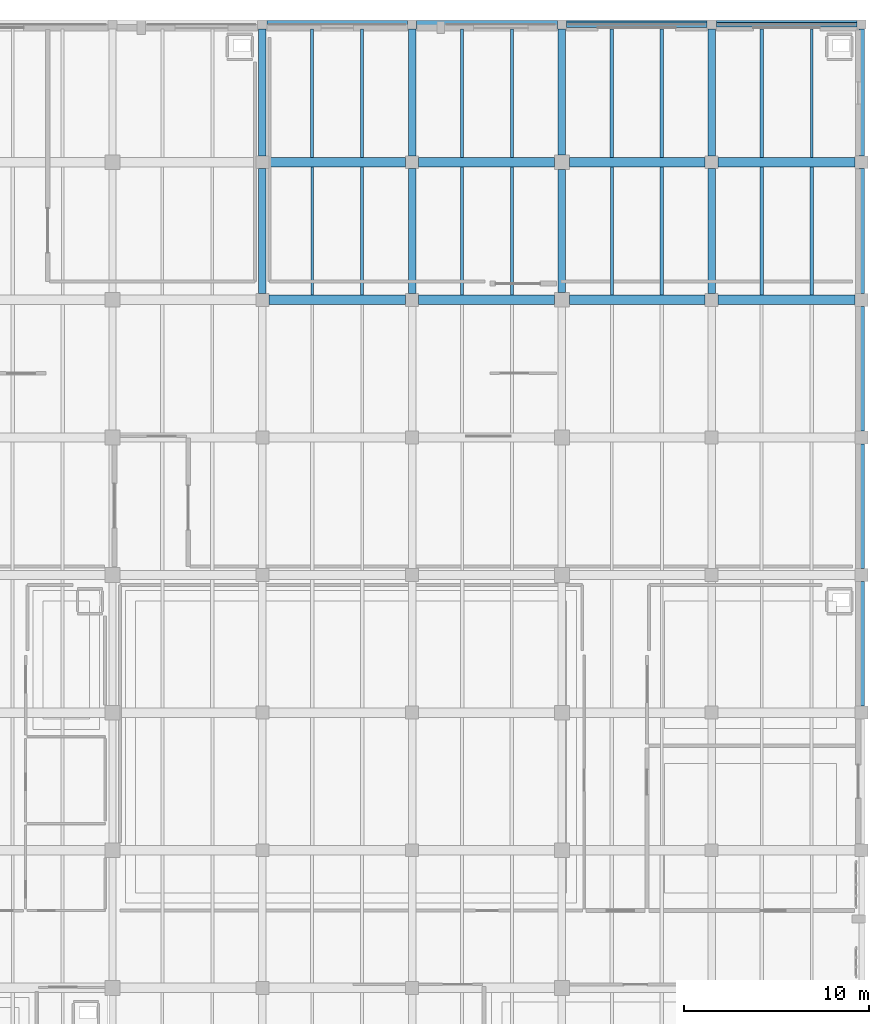
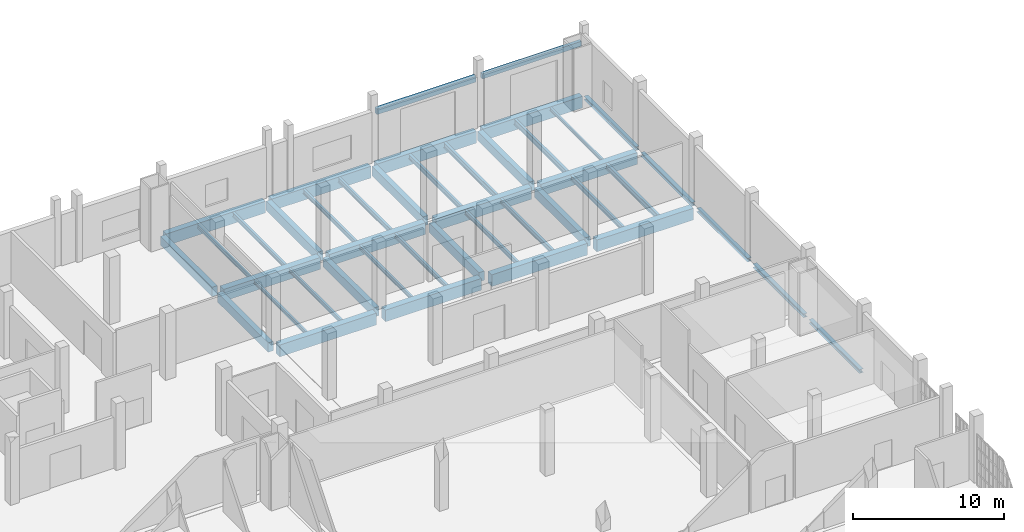
# One storey, part 291 of 372: 43 beams.
"""IFC4 building model written with IfcOpenShell, lengths in metres."""

from ifc_helpers import new_model, si_unit, direction, frame, origin, origin_2d, place, context, subcontext, project, spatial, rectangle, i_section, extrude, material, material_profile, profile_set, type_object, element, save


model = new_model("IFC4")

# Units and contexts
model_context = context("Model", 3, precision=1e-05, world=origin(), true_north=direction((0.0, 1.0)))
body_context = subcontext(model_context, "Body", "Model", "MODEL_VIEW")
ifc_project = project(units=[si_unit("LENGTHUNIT", "METRE"), si_unit("AREAUNIT", "SQUARE_METRE"), si_unit("VOLUMEUNIT", "CUBIC_METRE"), si_unit("PLANEANGLEUNIT", "RADIAN"), si_unit("MASSUNIT", "GRAM", prefix="KILO")], contexts=[model_context])

# Site, building, storey
site_placement = place(None, origin())
site = spatial("IfcSite", under=ifc_project, at=site_placement, CompositionType="ELEMENT")
building_placement = place(site_placement, origin())
building = spatial("IfcBuilding", under=site, at=building_placement, Name="Kaelora Sail Theatre", CompositionType="ELEMENT")
storey_placement = place(building_placement, origin())
storey = spatial("IfcBuildingStorey", under=building, at=storey_placement, Name="L00", CompositionType="ELEMENT", Elevation=0.0)

# Beams
ifc_material_1 = material(Name="Steel S355", Category="steel")
ifc_material_profile_1 = material_profile(ifc_material_1, i_section(OverallWidth=0.18994140625, OverallDepth=0.449951171875, WebThickness=0.009521484375, FlangeThickness=0.0146484375, FilletRadius=0.02099609375, at=origin_2d()), Name="IPE 450")
ifc_profile_set_1 = profile_set([ifc_material_profile_1], Name="Steel S355")
beam_type_1 = type_object("IfcBeamType", Name="STR-BM-BM-IPE450", PredefinedType="BEAM", material=ifc_profile_set_1)
beam_1_placement = place(storey_placement, frame((152.699951171875, 105.909912109375, -0.544921875), z_axis=(0.0, 1.0, 0.0), x_axis=(-1.0, 0.0, 0.0)))
element("IfcBeam", 1, at=beam_1_placement, inside=storey, type_object=beam_type_1, Name="Secondary floor joist 19/O-2 (L00)", PredefinedType="BEAM", context=body_context, shape_type="SweptSolid", body=[
    extrude(i_section(OverallWidth=0.18994140625, OverallDepth=0.449951171875, WebThickness=0.009521484375, FlangeThickness=0.0146484375, FilletRadius=0.02099609375, at=origin_2d()), origin(), (0.0, 0.0, 1.0), 6.965087890625),
])
beam_2_placement = place(storey_placement, frame((160.800048828125, 98.469970703125, -0.544921875), z_axis=(0.0, 1.0, 0.0), x_axis=(-1.0, 0.0, 0.0)))
element("IfcBeam", 2, at=beam_2_placement, inside=storey, type_object=beam_type_1, Name="Secondary floor joist 20/N-2 (L00)", PredefinedType="BEAM", context=body_context, shape_type="SweptSolid", body=[
    extrude(i_section(OverallWidth=0.18994140625, OverallDepth=0.449951171875, WebThickness=0.009521484375, FlangeThickness=0.0146484375, FilletRadius=0.02099609375, at=origin_2d()), origin(), (0.0, 0.0, 1.0), 6.93994140625),
])
beam_3_placement = place(storey_placement, frame((158.10009765625, 105.909912109375, -0.544921875), z_axis=(0.0, 1.0, 0.0), x_axis=(-1.0, 0.0, 0.0)))
element("IfcBeam", 3, at=beam_3_placement, inside=storey, type_object=beam_type_1, Name="Secondary floor joist 20/O-1 (L00)", PredefinedType="BEAM", context=body_context, shape_type="SweptSolid", body=[
    extrude(i_section(OverallWidth=0.18994140625, OverallDepth=0.449951171875, WebThickness=0.009521484375, FlangeThickness=0.0146484375, FilletRadius=0.02099609375, at=origin_2d()), origin(), (0.0, 0.0, 1.0), 6.965087890625),
])
ifc_material_2 = material(Name="Concrete C40/50", Category="concrete")
ifc_material_profile_2 = material_profile(ifc_material_2, rectangle(XDim=0.39990234375, YDim=0.75, at=origin_2d()), Name="RC-BM 400x750")
ifc_profile_set_2 = profile_set([ifc_material_profile_2], Name="Concrete C40/50")
beam_type_2 = type_object("IfcBeamType", Name="STR-BM-BM-RC4075", PredefinedType="BEAM", material=ifc_profile_set_2)
beam_4_placement = place(storey_placement, frame((131.10009765625, 98.570068359375, -0.695068359375), z_axis=(0.0, 1.0, 0.0), x_axis=(-1.0, 0.0, 0.0)))
element("IfcBeam", 4, at=beam_4_placement, inside=storey, type_object=beam_type_2, Name="Primary beam 17 N-O (L00)", PredefinedType="BEAM", context=body_context, shape_type="SweptSolid", body=[
    extrude(rectangle(XDim=0.39990234375, YDim=0.75, at=origin_2d()), origin(), (0.0, 0.0, 1.0), 6.739990234375),
])
beam_5_placement = place(storey_placement, frame((131.10009765625, 106.010009765625, -0.695068359375), z_axis=(0.0, 1.0, 0.0), x_axis=(-1.0, 0.0, 0.0)))
element("IfcBeam", 5, at=beam_5_placement, inside=storey, type_object=beam_type_2, Name="Primary beam 17 O-P (L00)", PredefinedType="BEAM", context=body_context, shape_type="SweptSolid", body=[
    extrude(rectangle(XDim=0.39990234375, YDim=0.75, at=origin_2d()), origin(), (0.0, 0.0, 1.0), 6.840087890625),
])
beam_6_placement = place(storey_placement, frame((139.199951171875, 98.570068359375, -0.695068359375), z_axis=(0.0, 1.0, 0.0), x_axis=(-1.0, 0.0, 0.0)))
element("IfcBeam", 6, at=beam_6_placement, inside=storey, type_object=beam_type_2, Name="Primary beam 18 N-O (L00)", PredefinedType="BEAM", context=body_context, shape_type="SweptSolid", body=[
    extrude(rectangle(XDim=0.39990234375, YDim=0.75, at=origin_2d()), origin(), (0.0, 0.0, 1.0), 6.739990234375),
])
beam_7_placement = place(storey_placement, frame((139.199951171875, 106.010009765625, -0.695068359375), z_axis=(0.0, 1.0, 0.0), x_axis=(-1.0, 0.0, 0.0)))
element("IfcBeam", 7, at=beam_7_placement, inside=storey, type_object=beam_type_2, Name="Primary beam 18 O-P (L00)", PredefinedType="BEAM", context=body_context, shape_type="SweptSolid", body=[
    extrude(rectangle(XDim=0.39990234375, YDim=0.75, at=origin_2d()), origin(), (0.0, 0.0, 1.0), 6.840087890625),
])
beam_8_placement = place(storey_placement, frame((147.300048828125, 98.6201171875, -0.695068359375), z_axis=(0.0, 1.0, 0.0), x_axis=(-1.0, 0.0, 0.0)))
element("IfcBeam", 8, at=beam_8_placement, inside=storey, type_object=beam_type_2, Name="Primary beam 19 N-O (L00)", PredefinedType="BEAM", context=body_context, shape_type="SweptSolid", body=[
    extrude(rectangle(XDim=0.39990234375, YDim=0.75, at=origin_2d()), origin(), (0.0, 0.0, 1.0), 6.639892578125),
])
beam_9_placement = place(storey_placement, frame((147.300048828125, 106.06005859375, -0.695068359375), z_axis=(0.0, 1.0, 0.0), x_axis=(-1.0, 0.0, 0.0)))
element("IfcBeam", 9, at=beam_9_placement, inside=storey, type_object=beam_type_2, Name="Primary beam 19 O-P (L00)", PredefinedType="BEAM", context=body_context, shape_type="SweptSolid", body=[
    extrude(rectangle(XDim=0.39990234375, YDim=0.75, at=origin_2d()), origin(), (0.0, 0.0, 1.0), 6.7900390625),
])
beam_10_placement = place(storey_placement, frame((155.39990234375, 98.570068359375, -0.695068359375), z_axis=(0.0, 1.0, 0.0), x_axis=(-1.0, 0.0, 0.0)))
element("IfcBeam", 10, at=beam_10_placement, inside=storey, type_object=beam_type_2, Name="Primary beam 20 N-O (L00)", PredefinedType="BEAM", context=body_context, shape_type="SweptSolid", body=[
    extrude(rectangle(XDim=0.39990234375, YDim=0.75, at=origin_2d()), origin(), (0.0, 0.0, 1.0), 6.739990234375),
])
beam_11_placement = place(storey_placement, frame((155.39990234375, 106.010009765625, -0.695068359375), z_axis=(0.0, 1.0, 0.0), x_axis=(-1.0, 0.0, 0.0)))
element("IfcBeam", 11, at=beam_11_placement, inside=storey, type_object=beam_type_2, Name="Primary beam 20 O-P (L00)", PredefinedType="BEAM", context=body_context, shape_type="SweptSolid", body=[
    extrude(rectangle(XDim=0.39990234375, YDim=0.75, at=origin_2d()), origin(), (0.0, 0.0, 1.0), 6.840087890625),
])
ifc_material_3 = material(Name="Concrete C45/55", Category="concrete")
ifc_material_profile_3 = material_profile(ifc_material_3, rectangle(XDim=0.5, YDim=0.949951171875, at=origin_2d()), Name="RC-GRD 500x950")
ifc_profile_set_3 = profile_set([ifc_material_profile_3], Name="Concrete C45/55")
beam_type_3 = type_object("IfcBeamType", Name="STR-BM-GR-RC5095", PredefinedType="T_BEAM", material=ifc_profile_set_3)
for number, where, z_axis, x_axis, name in (
    (12, (131.449951171875, 98.219970703125, -0.794921875), (1.0, 0.0, 0.0), (0.0, 1.0, 0.0), "Primary beam N 17-18 (L00)"),
    (13, (131.449951171875, 105.659912109375, -0.794921875), (1.0, 0.0, 0.0), (0.0, 1.0, 0.0), "Primary beam O 17-18 (L00)"),
):
    element("IfcBeam", number, at=place(storey_placement, frame(where, z_axis=z_axis, x_axis=x_axis)), inside=storey, type_object=beam_type_3, Name=name, PredefinedType="T_BEAM", context=body_context, shape_type="SweptSolid", body=[
        extrude(rectangle(XDim=0.5, YDim=0.949951171875, at=origin_2d()), origin(), (0.0, 0.0, 1.0), 7.400146484375),
    ])
for number, where, z_axis, x_axis, name in (
    (14, (139.550048828125, 98.219970703125, -0.794921875), (1.0, 0.0, 0.0), (0.0, 1.0, 0.0), "Primary beam N 18-19 (L00)"),
    (15, (139.550048828125, 105.659912109375, -0.794921875), (1.0, 0.0, 0.0), (0.0, 1.0, 0.0), "Primary beam O 18-19 (L00)"),
):
    element("IfcBeam", number, at=place(storey_placement, frame(where, z_axis=z_axis, x_axis=x_axis)), inside=storey, type_object=beam_type_3, Name=name, PredefinedType="T_BEAM", context=body_context, shape_type="SweptSolid", body=[
        extrude(rectangle(XDim=0.5, YDim=0.949951171875, at=origin_2d()), origin(), (0.0, 0.0, 1.0), 7.349853515625),
    ])
for number, where, z_axis, x_axis, name in (
    (16, (147.699951171875, 98.219970703125, -0.794921875), (1.0, 0.0, 0.0), (0.0, 1.0, 0.0), "Primary beam N 19-20 (L00)"),
    (17, (147.699951171875, 105.659912109375, -0.794921875), (1.0, 0.0, 0.0), (0.0, 1.0, 0.0), "Primary beam O 19-20 (L00)"),
):
    element("IfcBeam", number, at=place(storey_placement, frame(where, z_axis=z_axis, x_axis=x_axis)), inside=storey, type_object=beam_type_3, Name=name, PredefinedType="T_BEAM", context=body_context, shape_type="SweptSolid", body=[
        extrude(rectangle(XDim=0.5, YDim=0.949951171875, at=origin_2d()), origin(), (0.0, 0.0, 1.0), 7.35009765625),
    ])
for number, where, z_axis, x_axis, name in (
    (18, (155.75, 98.219970703125, -0.794921875), (1.0, 0.0, 0.0), (0.0, 1.0, 0.0), "Primary beam N 20-21 (L00)"),
    (19, (155.75, 105.659912109375, -0.794921875), (1.0, 0.0, 0.0), (0.0, 1.0, 0.0), "Primary beam O 20-21 (L00)"),
):
    element("IfcBeam", number, at=place(storey_placement, frame(where, z_axis=z_axis, x_axis=x_axis)), inside=storey, type_object=beam_type_3, Name=name, PredefinedType="T_BEAM", context=body_context, shape_type="SweptSolid", body=[
        extrude(rectangle(XDim=0.5, YDim=0.949951171875, at=origin_2d()), origin(), (0.0, 0.0, 1.0), 7.39990234375),
    ])
ifc_material_4 = material(Name="Steel S355", Category="steel")
ifc_material_profile_4 = material_profile(ifc_material_4, i_section(OverallWidth=0.135009765625, OverallDepth=0.27001953125, WebThickness=0.006591796875, FlangeThickness=0.01025390625, FilletRadius=0.014892578125, at=origin_2d()), Name="IPE 270")
ifc_profile_set_4 = profile_set([ifc_material_profile_4], Name="Steel S355")
beam_type_4 = type_object("IfcBeamType", Name="STR-BM-JS-IPE270", PredefinedType="JOIST", material=ifc_profile_set_4)
beam_12_placement = place(storey_placement, frame((160.800048828125, 105.909912109375, -0.455078125), z_axis=(0.0, 1.0, 0.0), x_axis=(-1.0, 0.0, 0.0)))
element("IfcBeam", 20, at=beam_12_placement, inside=storey, type_object=beam_type_4, Name="Secondary floor joist 20/O-2 (L00)", PredefinedType="JOIST", context=body_context, shape_type="SweptSolid", body=[
    extrude(i_section(OverallWidth=0.135009765625, OverallDepth=0.27001953125, WebThickness=0.006591796875, FlangeThickness=0.01025390625, FilletRadius=0.014892578125, at=origin_2d()), origin(), (0.0, 0.0, 1.0), 6.965087890625),
])
ifc_material_5 = material(Name="Steel S355", Category="steel")
ifc_material_profile_5 = material_profile(ifc_material_5, i_section(OverallWidth=0.14990234375, OverallDepth=0.300048828125, WebThickness=0.007080078125, FlangeThickness=0.0107421875, FilletRadius=0.014892578125, at=origin_2d()), Name="IPE 300")
ifc_profile_set_5 = profile_set([ifc_material_profile_5], Name="Steel S355")
beam_type_5 = type_object("IfcBeamType", Name="STR-BM-JS-IPE300", PredefinedType="JOIST", material=ifc_profile_set_5)
beam_13_placement = place(storey_placement, frame((133.800048828125, 98.469970703125, -0.469970703125), z_axis=(0.0, 1.0, 0.0), x_axis=(-1.0, 0.0, 0.0)))
element("IfcBeam", 21, at=beam_13_placement, inside=storey, type_object=beam_type_5, Name="Secondary floor joist 17/N-1 (L00)", PredefinedType="JOIST", context=body_context, shape_type="SweptSolid", body=[
    extrude(i_section(OverallWidth=0.14990234375, OverallDepth=0.300048828125, WebThickness=0.007080078125, FlangeThickness=0.0107421875, FilletRadius=0.014892578125, at=origin_2d()), origin(), (0.0, 0.0, 1.0), 6.93994140625),
])
ifc_material_6 = material(Name="Steel S355", Category="steel")
ifc_material_profile_6 = material_profile(ifc_material_6, i_section(OverallWidth=0.159912109375, OverallDepth=0.330078125, WebThickness=0.007568359375, FlangeThickness=0.011474609375, FilletRadius=0.01806640625, at=origin_2d()), Name="IPE 330")
ifc_profile_set_6 = profile_set([ifc_material_profile_6], Name="Steel S355")
beam_type_6 = type_object("IfcBeamType", Name="STR-BM-JS-IPE330", PredefinedType="JOIST", material=ifc_profile_set_6)
beam_14_placement = place(storey_placement, frame((136.5, 98.469970703125, -0.485107421875), z_axis=(0.0, 1.0, 0.0), x_axis=(-1.0, 0.0, 0.0)))
element("IfcBeam", 22, at=beam_14_placement, inside=storey, type_object=beam_type_6, Name="Secondary floor joist 17/N-2 (L00)", PredefinedType="JOIST", context=body_context, shape_type="SweptSolid", body=[
    extrude(i_section(OverallWidth=0.159912109375, OverallDepth=0.330078125, WebThickness=0.007568359375, FlangeThickness=0.011474609375, FilletRadius=0.01806640625, at=origin_2d()), origin(), (0.0, 0.0, 1.0), 6.93994140625),
])
beam_15_placement = place(storey_placement, frame((133.800048828125, 105.909912109375, -0.485107421875), z_axis=(0.0, 1.0, 0.0), x_axis=(-1.0, 0.0, 0.0)))
element("IfcBeam", 23, at=beam_15_placement, inside=storey, type_object=beam_type_6, Name="Secondary floor joist 17/O-1 (L00)", PredefinedType="JOIST", context=body_context, shape_type="SweptSolid", body=[
    extrude(i_section(OverallWidth=0.159912109375, OverallDepth=0.330078125, WebThickness=0.007568359375, FlangeThickness=0.011474609375, FilletRadius=0.01806640625, at=origin_2d()), origin(), (0.0, 0.0, 1.0), 6.965087890625),
])
beam_16_placement = place(storey_placement, frame((141.89990234375, 98.469970703125, -0.485107421875), z_axis=(0.0, 1.0, 0.0), x_axis=(-1.0, 0.0, 0.0)))
element("IfcBeam", 24, at=beam_16_placement, inside=storey, type_object=beam_type_6, Name="Secondary floor joist 18/N-1 (L00)", PredefinedType="JOIST", context=body_context, shape_type="SweptSolid", body=[
    extrude(i_section(OverallWidth=0.159912109375, OverallDepth=0.330078125, WebThickness=0.007568359375, FlangeThickness=0.011474609375, FilletRadius=0.01806640625, at=origin_2d()), origin(), (0.0, 0.0, 1.0), 6.93994140625),
])
ifc_material_7 = material(Name="Steel S355", Category="steel")
ifc_material_profile_7 = material_profile(ifc_material_7, i_section(OverallWidth=0.169921875, OverallDepth=0.360107421875, WebThickness=0.008056640625, FlangeThickness=0.0126953125, FilletRadius=0.01806640625, at=origin_2d()), Name="IPE 360")
ifc_profile_set_7 = profile_set([ifc_material_profile_7], Name="Steel S355")
beam_type_7 = type_object("IfcBeamType", Name="STR-BM-JS-IPE360", PredefinedType="JOIST", material=ifc_profile_set_7)
beam_17_placement = place(storey_placement, frame((136.5, 105.909912109375, -0.5), z_axis=(0.0, 1.0, 0.0), x_axis=(-1.0, 0.0, 0.0)))
element("IfcBeam", 25, at=beam_17_placement, inside=storey, type_object=beam_type_7, Name="Secondary floor joist 17/O-2 (L00)", PredefinedType="JOIST", context=body_context, shape_type="SweptSolid", body=[
    extrude(i_section(OverallWidth=0.169921875, OverallDepth=0.360107421875, WebThickness=0.008056640625, FlangeThickness=0.0126953125, FilletRadius=0.01806640625, at=origin_2d()), origin(), (0.0, 0.0, 1.0), 6.965087890625),
])
beam_18_placement = place(storey_placement, frame((144.60009765625, 98.469970703125, -0.5), z_axis=(0.0, 1.0, 0.0), x_axis=(-1.0, 0.0, 0.0)))
element("IfcBeam", 26, at=beam_18_placement, inside=storey, type_object=beam_type_7, Name="Secondary floor joist 18/N-2 (L00)", PredefinedType="JOIST", context=body_context, shape_type="SweptSolid", body=[
    extrude(i_section(OverallWidth=0.169921875, OverallDepth=0.360107421875, WebThickness=0.008056640625, FlangeThickness=0.0126953125, FilletRadius=0.01806640625, at=origin_2d()), origin(), (0.0, 0.0, 1.0), 6.93994140625),
])
beam_19_placement = place(storey_placement, frame((141.89990234375, 105.909912109375, -0.5), z_axis=(0.0, 1.0, 0.0), x_axis=(-1.0, 0.0, 0.0)))
element("IfcBeam", 27, at=beam_19_placement, inside=storey, type_object=beam_type_7, Name="Secondary floor joist 18/O-1 (L00)", PredefinedType="JOIST", context=body_context, shape_type="SweptSolid", body=[
    extrude(i_section(OverallWidth=0.169921875, OverallDepth=0.360107421875, WebThickness=0.008056640625, FlangeThickness=0.0126953125, FilletRadius=0.01806640625, at=origin_2d()), origin(), (0.0, 0.0, 1.0), 6.965087890625),
])
beam_20_placement = place(storey_placement, frame((150.0, 98.469970703125, -0.5), z_axis=(0.0, 1.0, 0.0), x_axis=(-1.0, 0.0, 0.0)))
element("IfcBeam", 28, at=beam_20_placement, inside=storey, type_object=beam_type_7, Name="Secondary floor joist 19/N-1 (L00)", PredefinedType="JOIST", context=body_context, shape_type="SweptSolid", body=[
    extrude(i_section(OverallWidth=0.169921875, OverallDepth=0.360107421875, WebThickness=0.008056640625, FlangeThickness=0.0126953125, FilletRadius=0.01806640625, at=origin_2d()), origin(), (0.0, 0.0, 1.0), 6.93994140625),
])
ifc_material_8 = material(Name="Steel S355", Category="steel")
ifc_material_profile_8 = material_profile(ifc_material_8, i_section(OverallWidth=0.179931640625, OverallDepth=0.39990234375, WebThickness=0.008544921875, FlangeThickness=0.013427734375, FilletRadius=0.02099609375, at=origin_2d()), Name="IPE 400")
ifc_profile_set_8 = profile_set([ifc_material_profile_8], Name="Steel S355")
beam_type_8 = type_object("IfcBeamType", Name="STR-BM-JS-IPE400", PredefinedType="JOIST", material=ifc_profile_set_8)
beam_21_placement = place(storey_placement, frame((144.60009765625, 105.909912109375, -0.52001953125), z_axis=(0.0, 1.0, 0.0), x_axis=(-1.0, 0.0, 0.0)))
element("IfcBeam", 29, at=beam_21_placement, inside=storey, type_object=beam_type_8, Name="Secondary floor joist 18/O-2 (L00)", PredefinedType="JOIST", context=body_context, shape_type="SweptSolid", body=[
    extrude(i_section(OverallWidth=0.179931640625, OverallDepth=0.39990234375, WebThickness=0.008544921875, FlangeThickness=0.013427734375, FilletRadius=0.02099609375, at=origin_2d()), origin(), (0.0, 0.0, 1.0), 6.965087890625),
])
beam_22_placement = place(storey_placement, frame((152.699951171875, 98.469970703125, -0.52001953125), z_axis=(0.0, 1.0, 0.0), x_axis=(-1.0, 0.0, 0.0)))
element("IfcBeam", 30, at=beam_22_placement, inside=storey, type_object=beam_type_8, Name="Secondary floor joist 19/N-2 (L00)", PredefinedType="JOIST", context=body_context, shape_type="SweptSolid", body=[
    extrude(i_section(OverallWidth=0.179931640625, OverallDepth=0.39990234375, WebThickness=0.008544921875, FlangeThickness=0.013427734375, FilletRadius=0.02099609375, at=origin_2d()), origin(), (0.0, 0.0, 1.0), 6.93994140625),
])
beam_23_placement = place(storey_placement, frame((150.0, 105.909912109375, -0.52001953125), z_axis=(0.0, 1.0, 0.0), x_axis=(-1.0, 0.0, 0.0)))
element("IfcBeam", 31, at=beam_23_placement, inside=storey, type_object=beam_type_8, Name="Secondary floor joist 19/O-1 (L00)", PredefinedType="JOIST", context=body_context, shape_type="SweptSolid", body=[
    extrude(i_section(OverallWidth=0.179931640625, OverallDepth=0.39990234375, WebThickness=0.008544921875, FlangeThickness=0.013427734375, FilletRadius=0.02099609375, at=origin_2d()), origin(), (0.0, 0.0, 1.0), 6.965087890625),
])
beam_24_placement = place(storey_placement, frame((158.10009765625, 98.469970703125, -0.52001953125), z_axis=(0.0, 1.0, 0.0), x_axis=(-1.0, 0.0, 0.0)))
element("IfcBeam", 32, at=beam_24_placement, inside=storey, type_object=beam_type_8, Name="Secondary floor joist 20/N-1 (L00)", PredefinedType="JOIST", context=body_context, shape_type="SweptSolid", body=[
    extrude(i_section(OverallWidth=0.179931640625, OverallDepth=0.39990234375, WebThickness=0.008544921875, FlangeThickness=0.013427734375, FilletRadius=0.02099609375, at=origin_2d()), origin(), (0.0, 0.0, 1.0), 6.93994140625),
])
ifc_material_9 = material(Name="Precast concrete C40/50", Category="concrete")
ifc_material_profile_9 = material_profile(ifc_material_9, rectangle(XDim=0.25, YDim=0.39990234375, at=origin_2d()), Name="RC-LNT 250x400")
ifc_profile_set_9 = profile_set([ifc_material_profile_9], Name="Precast concrete C40/50")
beam_type_9 = type_object("IfcBeamType", Name="STR-BM-LN-RC2540", PredefinedType="LINTEL", material=ifc_profile_set_9)
beam_25_placement = place(storey_placement, frame((155.64990234375, 113.10009765625, 3.8798828125), z_axis=(1.0, 0.0, 0.0), x_axis=(0.0, 1.0, 0.0)))
element("IfcBeam", 33, at=beam_25_placement, inside=storey, type_object=beam_type_9, Name="Loading dock portal lintel 2", PredefinedType="LINTEL", context=body_context, shape_type="SweptSolid", body=[
    extrude(rectangle(XDim=0.25, YDim=0.39990234375, at=origin_2d()), origin(), (0.0, 0.0, 1.0), 7.60009765625),
])
ifc_material_10 = material(Name="Precast concrete C40/50", Category="concrete")
ifc_material_profile_10 = material_profile(ifc_material_10, rectangle(XDim=0.300048828125, YDim=0.449951171875, at=origin_2d()), Name="RC-LNT 300x450")
ifc_profile_set_10 = profile_set([ifc_material_profile_10], Name="Precast concrete C40/50")
beam_type_10 = type_object("IfcBeamType", Name="STR-BM-LN-RC3045", PredefinedType="LINTEL", material=ifc_profile_set_10)
beam_26_placement = place(storey_placement, frame((147.550048828125, 113.10009765625, 3.85498046875), z_axis=(1.0, 0.0, 0.0), x_axis=(0.0, 1.0, 0.0)))
element("IfcBeam", 34, at=beam_26_placement, inside=storey, type_object=beam_type_10, Name="Loading dock portal lintel 1", PredefinedType="LINTEL", context=body_context, shape_type="SweptSolid", body=[
    extrude(rectangle(XDim=0.300048828125, YDim=0.449951171875, at=origin_2d()), origin(), (0.0, 0.0, 1.0), 7.599853515625),
])
ifc_material_11 = material(Name="Steel S355", Category="steel")
ifc_material_profile_11 = material_profile(ifc_material_11, i_section(OverallWidth=0.300048828125, OverallDepth=0.300048828125, WebThickness=0.010986328125, FlangeThickness=0.01904296875, FilletRadius=0.027099609375, at=origin_2d()), Name="HEB 300")
ifc_profile_set_11 = profile_set([ifc_material_profile_11], Name="Steel S355")
beam_type_11 = type_object("IfcBeamType", Name="STR-BM-SP-HEB300", PredefinedType="SPANDREL", material=ifc_profile_set_11)
for number, where, z_axis, x_axis, name in (
    (35, (163.5, 76.25, -0.469970703125), (0.0, 1.0, 0.0), (-1.0, 0.0, 0.0), "Primary beam 21 K-L (L00)"),
    (36, (163.5, 83.68994140625, -0.469970703125), (0.0, 1.0, 0.0), (-1.0, 0.0, 0.0), "Primary beam 21 L-M (L00)"),
):
    element("IfcBeam", number, at=place(storey_placement, frame(where, z_axis=z_axis, x_axis=x_axis)), inside=storey, type_object=beam_type_11, Name=name, PredefinedType="SPANDREL", context=body_context, shape_type="SweptSolid", body=[
        extrude(i_section(OverallWidth=0.300048828125, OverallDepth=0.300048828125, WebThickness=0.010986328125, FlangeThickness=0.01904296875, FilletRadius=0.027099609375, at=origin_2d()), origin(), (0.0, 0.0, 1.0), 6.739990234375),
    ])
beam_27_placement = place(storey_placement, frame((163.5, 91.1298828125, -0.469970703125), z_axis=(0.0, 1.0, 0.0), x_axis=(-1.0, 0.0, 0.0)))
element("IfcBeam", 37, at=beam_27_placement, inside=storey, type_object=beam_type_11, Name="Primary beam 21 M-N (L00)", PredefinedType="SPANDREL", context=body_context, shape_type="SweptSolid", body=[
    extrude(i_section(OverallWidth=0.300048828125, OverallDepth=0.300048828125, WebThickness=0.010986328125, FlangeThickness=0.01904296875, FilletRadius=0.027099609375, at=origin_2d()), origin(), (0.0, 0.0, 1.0), 6.740234375),
])
beam_28_placement = place(storey_placement, frame((163.5, 98.570068359375, -0.469970703125), z_axis=(0.0, 1.0, 0.0), x_axis=(-1.0, 0.0, 0.0)))
element("IfcBeam", 38, at=beam_28_placement, inside=storey, type_object=beam_type_11, Name="Primary beam 21 N-O (L00)", PredefinedType="SPANDREL", context=body_context, shape_type="SweptSolid", body=[
    extrude(i_section(OverallWidth=0.300048828125, OverallDepth=0.300048828125, WebThickness=0.010986328125, FlangeThickness=0.01904296875, FilletRadius=0.027099609375, at=origin_2d()), origin(), (0.0, 0.0, 1.0), 6.739990234375),
])
beam_29_placement = place(storey_placement, frame((163.5, 106.010009765625, -0.469970703125), z_axis=(0.0, 1.0, 0.0), x_axis=(-1.0, 0.0, 0.0)))
element("IfcBeam", 39, at=beam_29_placement, inside=storey, type_object=beam_type_11, Name="Primary beam 21 O-P (L00)", PredefinedType="SPANDREL", context=body_context, shape_type="SweptSolid", body=[
    extrude(i_section(OverallWidth=0.300048828125, OverallDepth=0.300048828125, WebThickness=0.010986328125, FlangeThickness=0.01904296875, FilletRadius=0.027099609375, at=origin_2d()), origin(), (0.0, 0.0, 1.0), 6.840087890625),
])
ifc_material_12 = material(Name="Concrete C45/55", Category="concrete")
ifc_material_profile_12 = material_profile(ifc_material_12, rectangle(XDim=0.449951171875, YDim=0.949951171875, at=origin_2d()), Name="RC-SPN 450x950")
ifc_profile_set_12 = profile_set([ifc_material_profile_12], Name="Concrete C45/55")
beam_type_12 = type_object("IfcBeamType", Name="STR-BM-SP-RC4595", PredefinedType="SPANDREL", material=ifc_profile_set_12)
beam_30_placement = place(storey_placement, frame((131.35009765625, 113.10009765625, -0.794921875), z_axis=(1.0, 0.0, 0.0), x_axis=(0.0, 1.0, 0.0)))
element("IfcBeam", 40, at=beam_30_placement, inside=storey, type_object=beam_type_12, Name="Primary beam P 17-18 (L00)", PredefinedType="SPANDREL", context=body_context, shape_type="SweptSolid", body=[
    extrude(rectangle(XDim=0.449951171875, YDim=0.949951171875, at=origin_2d()), origin(), (0.0, 0.0, 1.0), 7.599853515625),
])
beam_31_placement = place(storey_placement, frame((139.449951171875, 113.10009765625, -0.794921875), z_axis=(1.0, 0.0, 0.0), x_axis=(0.0, 1.0, 0.0)))
element("IfcBeam", 41, at=beam_31_placement, inside=storey, type_object=beam_type_12, Name="Primary beam P 18-19 (L00)", PredefinedType="SPANDREL", context=body_context, shape_type="SweptSolid", body=[
    extrude(rectangle(XDim=0.449951171875, YDim=0.949951171875, at=origin_2d()), origin(), (0.0, 0.0, 1.0), 7.60009765625),
])
beam_32_placement = place(storey_placement, frame((147.550048828125, 113.10009765625, -0.794921875), z_axis=(1.0, 0.0, 0.0), x_axis=(0.0, 1.0, 0.0)))
element("IfcBeam", 42, at=beam_32_placement, inside=storey, type_object=beam_type_12, Name="Primary beam P 19-20 (L00)", PredefinedType="SPANDREL", context=body_context, shape_type="SweptSolid", body=[
    extrude(rectangle(XDim=0.449951171875, YDim=0.949951171875, at=origin_2d()), origin(), (0.0, 0.0, 1.0), 7.599853515625),
])
beam_33_placement = place(storey_placement, frame((155.64990234375, 113.10009765625, -0.794921875), z_axis=(1.0, 0.0, 0.0), x_axis=(0.0, 1.0, 0.0)))
element("IfcBeam", 43, at=beam_33_placement, inside=storey, type_object=beam_type_12, Name="Primary beam P 20-21 (L00)", PredefinedType="SPANDREL", context=body_context, shape_type="SweptSolid", body=[
    extrude(rectangle(XDim=0.449951171875, YDim=0.949951171875, at=origin_2d()), origin(), (0.0, 0.0, 1.0), 7.60009765625),
])

save(model, "model.ifc")
